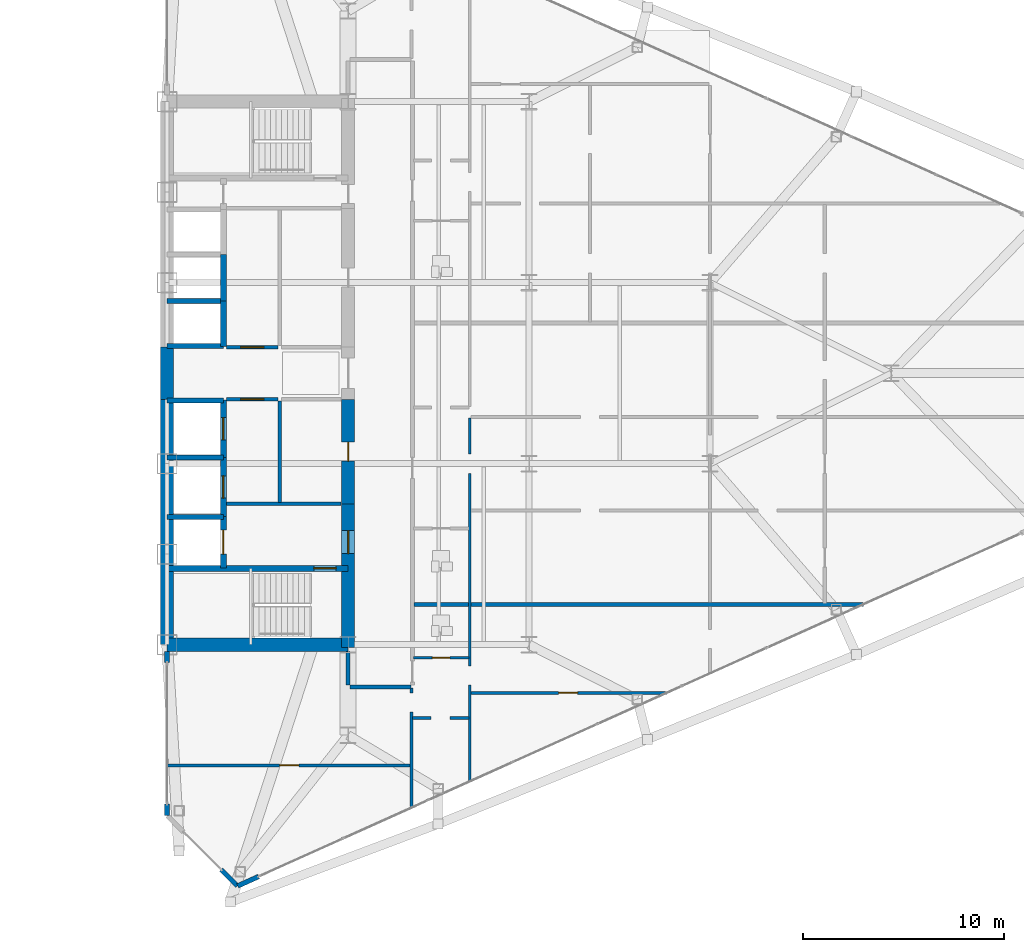
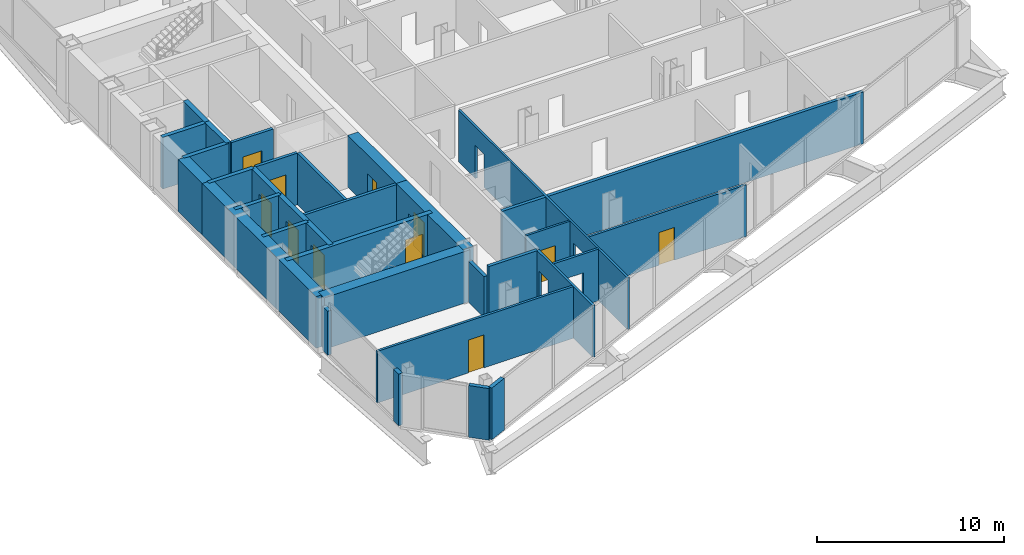
# One storey, part 23 of 29: 33 walls, 11 doors, 15 openings.
"""IFC4 building model written with IfcOpenShell, lengths in metres."""

from ifc_helpers import new_model, si_unit, direction, frame, frame_2d, origin, place, context, subcontext, project, spatial, rectangle, extrude, source, transform, mapped, material, layer, layer_set, type_object, type_shapes, element, fill, save


model = new_model("IFC4")

# Units and contexts
model_context = context("Model", 3, precision=1e-05, world=origin(), true_north=direction((0.0, 1.0)))
body_context = subcontext(model_context, "Body", "Model", "MODEL_VIEW")
ifc_project = project(units=[si_unit("LENGTHUNIT", "METRE"), si_unit("AREAUNIT", "SQUARE_METRE"), si_unit("VOLUMEUNIT", "CUBIC_METRE"), si_unit("PLANEANGLEUNIT", "RADIAN"), si_unit("MASSUNIT", "GRAM", prefix="KILO")], contexts=[model_context])

# Site, building, storey
site_placement = place(None, origin())
site = spatial("IfcSite", under=ifc_project, at=site_placement, CompositionType="ELEMENT")
building_placement = place(site_placement, origin())
building = spatial("IfcBuilding", under=site, at=building_placement, Name="Seokmaru Belvedere", CompositionType="ELEMENT")
storey_placement = place(building_placement, frame((0.0, 0.0, 62.10009765625)))
storey = spatial("IfcBuildingStorey", under=building, at=storey_placement, Name="L16", CompositionType="ELEMENT", Elevation=62.10009765625)

# Wall, opening, door
ifc_material_1 = material(Name="Fire-Rated Gypsum Shaftwall")
ifc_layer_1 = layer(ifc_material_1, 0.14990234375)
ifc_layer_set_1 = layer_set([ifc_layer_1], Name="Fire-Rated Gypsum Shaftwall")
wall_type_1 = type_object("IfcWallType", Name="Apartment Fire-Acoustic Room Partition 150", PredefinedType="PARTITIONING", material=ifc_layer_set_1)
wall_1_placement = place(storey_placement, frame((27.465087890625, -19.5, 0.0), z_axis=(0.0, 0.0, 1.0), x_axis=(1.0, 0.0, 0.0)))
wall_1 = element("IfcWall", 1, at=wall_1_placement, inside=storey, type_object=wall_type_1, Name="L16 Interior Partition 002", PredefinedType="PARTITIONING", context=body_context, shape_type="SweptSolid", body=[
    extrude(rectangle(XDim=12.135009765625, YDim=0.14990234375, at=frame_2d((6.0673828125, 0.0))), origin(), (0.0, 0.0, 1.0), 3.3798828125),
])
opening_1_placement = place(wall_1_placement, frame((5.635009765625, 0.0, 0.0)))
opening_1 = element("IfcOpeningElement", 2, at=opening_1_placement, cuts=wall_1, Name="Opening D05", PredefinedType="OPENING", context=body_context, shape_type="SweptSolid", body=[
    extrude(rectangle(XDim=0.949951171875, YDim=2.14990234375, at=frame_2d((0.47509765625, 1.074951171875))), frame((0.0, 0.0849609375, 0.0), z_axis=(0.0, -1.0, 0.0), x_axis=(1.0, 0.0, 0.0)), (0.0, 0.0, 1.0), 0.169921875),
])
ifc_material_2 = material(Name="Engineered White Oak Timber", Category="wood")
door_type_1 = type_object("IfcDoorType", Name="Apartment Interior Fire-Rated Oak Door 950x2150", OperationType="NOTDEFINED", PredefinedType="DOOR", material=ifc_material_2)
shared_shape_1 = source(origin(), body_context, "Body", "SweptSolid", [
    extrude(rectangle(XDim=0.949951171875, YDim=2.14990234375, at=frame_2d((0.47509765625, 1.074951171875))), frame((0.0, 0.02490234375, 0.0), z_axis=(0.0, -1.0, 0.0), x_axis=(1.0, 0.0, 0.0)), (0.0, 0.0, 1.0), 0.050048828125),
])
type_shapes(door_type_1, [shared_shape_1])
door_1_placement = place(opening_1_placement, origin())
door_1 = element("IfcDoor", 3, at=door_1_placement, inside=storey, type_object=door_type_1, Name="L16 Interior Door 033", OperationType="SINGLE_SWING_LEFT", OverallHeight=2.14990234375, OverallWidth=0.949951171875, PredefinedType="DOOR", context=body_context, shape_type="MappedRepresentation", body=[
    mapped(shared_shape_1, transform((0.0, 0.0, 0.0), scale=1.0)),
])
fill(opening_1, door_1)

# Wall, opening
wall_2_placement = place(storey_placement, frame((39.699951171875, -17.139892578125, 0.0), z_axis=(0.0, 0.0, 1.0), x_axis=(1.0, 0.0, 0.0)))
wall_2 = element("IfcWall", 4, at=wall_2_placement, inside=storey, type_object=wall_type_1, Name="L16 Interior Partition 003", PredefinedType="PARTITIONING", context=body_context, shape_type="SweptSolid", body=[
    extrude(rectangle(XDim=2.800048828125, YDim=0.14990234375, at=frame_2d((1.39990234375, 0.0))), origin(), (0.0, 0.0, 1.0), 3.3798828125),
])
opening_2_placement = place(wall_2_placement, frame((0.925048828125, 0.0, 0.0)))
element("IfcOpeningElement", 5, at=opening_2_placement, cuts=wall_2, Name="L16 Cased Opening 028", PredefinedType="OPENING", context=body_context, shape_type="SweptSolid", body=[
    extrude(rectangle(XDim=0.949951171875, YDim=2.14990234375, at=frame_2d((0.47509765625, 1.074951171875))), frame((0.0, 0.0849609375, 0.0), z_axis=(0.0, -1.0, 0.0), x_axis=(1.0, 0.0, 0.0)), (0.0, 0.0, 1.0), 0.169921875),
])

# Wall, opening, door
wall_3_placement = place(storey_placement, frame((42.60009765625, -15.89990234375, 0.0), z_axis=(0.0, 0.0, 1.0), x_axis=(1.0, 0.0, 0.0)))
wall_3 = element("IfcWall", 6, at=wall_3_placement, inside=storey, type_object=wall_type_1, Name="L16 Interior Partition 005", PredefinedType="PARTITIONING", context=body_context, shape_type="SweptSolid", body=[
    extrude(rectangle(XDim=9.764892578125, YDim=0.14990234375, at=frame_2d((4.88232421875, 0.0))), origin(), (0.0, 0.0, 1.0), 3.3798828125),
])
opening_3_placement = place(wall_3_placement, frame((4.365234375, 0.0, 0.0)))
opening_3 = element("IfcOpeningElement", 7, at=opening_3_placement, cuts=wall_3, Name="Opening D05", PredefinedType="OPENING", context=body_context, shape_type="SweptSolid", body=[
    extrude(rectangle(XDim=0.949951171875, YDim=2.14990234375, at=frame_2d((0.47509765625, 1.074951171875))), frame((0.0, 0.0849609375, 0.0), z_axis=(0.0, -1.0, 0.0), x_axis=(1.0, 0.0, 0.0)), (0.0, 0.0, 1.0), 0.169921875),
])
door_2_placement = place(opening_3_placement, origin())
door_2 = element("IfcDoor", 8, at=door_2_placement, inside=storey, type_object=door_type_1, Name="L16 Interior Door 032", OperationType="SINGLE_SWING_RIGHT", OverallHeight=2.14990234375, OverallWidth=0.949951171875, PredefinedType="DOOR", context=body_context, shape_type="MappedRepresentation", body=[
    mapped(shared_shape_1, transform((0.0, 0.0, 0.0), scale=1.0)),
])
fill(opening_3, door_2)

# Wall, opening
wall_4_placement = place(storey_placement, frame((39.64990234375, -21.64208984375, 0.0), z_axis=(0.0, 0.0, 1.0), x_axis=(0.0, 1.0, 0.0)))
wall_4 = element("IfcWall", 9, at=wall_4_placement, inside=storey, type_object=wall_type_1, Name="L16 Interior Partition 042", PredefinedType="PARTITIONING", context=body_context, shape_type="SweptSolid", body=[
    extrude(rectangle(XDim=5.9921875, YDim=0.14990234375, at=frame_2d((2.99609375, 0.0))), origin(), (0.0, 0.0, 1.0), 3.3798828125),
])
opening_4_placement = place(wall_4_placement, frame((4.79443359375, 0.0, 0.0)))
element("IfcOpeningElement", 10, at=opening_4_placement, cuts=wall_4, Name="L16 Cased Opening 030", PredefinedType="OPENING", context=body_context, shape_type="SweptSolid", body=[
    extrude(rectangle(XDim=0.949951171875, YDim=2.14990234375, at=frame_2d((0.47509765625, 1.074951171875))), frame((0.0, 0.0849609375, 0.0), z_axis=(0.0, -1.0, 0.0), x_axis=(1.0, 0.0, 0.0)), (0.0, 0.0, 1.0), 0.169921875),
])

# Walls
ifc_layer_2 = layer(ifc_material_1, 0.179931640625)
ifc_layer_set_2 = layer_set([ifc_layer_2], Name="Fire-Rated Gypsum Shaftwall")
wall_type_2 = type_object("IfcWallType", Name="Core Service Fire Partition 180", PredefinedType="PARTITIONING", material=ifc_layer_set_2)
wall_5_placement = place(storey_placement, frame((30.449951171875, -6.5, 0.0), z_axis=(0.0, 0.0, 1.0), x_axis=(1.0, 0.0, 0.0)))
element("IfcWall", 11, at=wall_5_placement, inside=storey, type_object=wall_type_2, Name="L16 East Firefighting Lobby Partition", PredefinedType="PARTITIONING", context=body_context, shape_type="SweptSolid", body=[
    extrude(rectangle(XDim=5.699951171875, YDim=0.179931640625, at=frame_2d((2.85009765625, 0.0))), origin(), (0.0, 0.0, 1.0), 3.3798828125),
])
wall_6_placement = place(storey_placement, frame((33.10009765625, -6.419921875, 0.0), z_axis=(0.0, 0.0, 1.0), x_axis=(0.0, 1.0, 0.0)))
element("IfcWall", 12, at=wall_6_placement, inside=storey, type_object=wall_type_2, Name="L16 East South Core Service Back Wall", PredefinedType="PARTITIONING", context=body_context, shape_type="SweptSolid", body=[
    extrude(rectangle(XDim=5.0400390625, YDim=0.179931640625, at=frame_2d((2.52001953125, 0.0))), origin(), (0.0, 0.0, 1.0), 3.3798828125),
])

# Wall, opening, door
wall_7_placement = place(storey_placement, frame((30.449951171875, -1.300048828125, 0.0), z_axis=(0.0, 0.0, 1.0), x_axis=(1.0, 0.0, 0.0)))
wall_7 = element("IfcWall", 13, at=wall_7_placement, inside=storey, type_object=wall_type_2, Name="L16 East South Lift Lobby Foyer Wall", PredefinedType="PARTITIONING", context=body_context, shape_type="SweptSolid", body=[
    extrude(rectangle(XDim=2.570068359375, YDim=0.179931640625, at=frame_2d((1.28515625, 0.0))), origin(), (0.0, 0.0, 1.0), 3.3798828125),
])
opening_5_placement = place(wall_7_placement, frame((0.7099609375, 0.0, 0.0)))
opening_5 = element("IfcOpeningElement", 14, at=opening_5_placement, cuts=wall_7, Name="Opening D02", PredefinedType="OPENING", context=body_context, shape_type="SweptSolid", body=[
    extrude(rectangle(XDim=1.14990234375, YDim=2.199951171875, at=frame_2d((0.574951171875, 1.10009765625))), frame((0.0, 0.10009765625, 0.0), z_axis=(0.0, -1.0, 0.0), x_axis=(1.0, 0.0, 0.0)), (0.0, 0.0, 1.0), 0.199951171875),
])
ifc_material_3 = material(Name="Fire-Rated Steel Leaf", Category="steel")
door_type_2 = type_object("IfcDoorType", Name="Lobby and Vestibule Fire Door 1150x2200", OperationType="NOTDEFINED", PredefinedType="DOOR", material=ifc_material_3)
shared_shape_2 = source(origin(), body_context, "Body", "SweptSolid", [
    extrude(rectangle(XDim=1.14990234375, YDim=2.199951171875, at=frame_2d((0.574951171875, 1.10009765625))), frame((0.0, 0.02490234375, 0.0), z_axis=(0.0, -1.0, 0.0), x_axis=(1.0, 0.0, 0.0)), (0.0, 0.0, 1.0), 0.050048828125),
])
type_shapes(door_type_2, [shared_shape_2])
door_3_placement = place(opening_5_placement, origin())
door_3 = element("IfcDoor", 15, at=door_3_placement, inside=storey, type_object=door_type_2, Name="L16 East South Core Foyer Door", OperationType="SINGLE_SWING_RIGHT", OverallHeight=2.199951171875, OverallWidth=1.14990234375, PredefinedType="DOOR", context=body_context, shape_type="MappedRepresentation", body=[
    mapped(shared_shape_2, transform((0.0, 0.0, 0.0), scale=1.0)),
])
fill(opening_5, door_3)

wall_8_placement = place(storey_placement, frame((30.449951171875, 1.300048828125, 0.0), z_axis=(0.0, 0.0, 1.0), x_axis=(1.0, 0.0, 0.0)))
wall_8 = element("IfcWall", 16, at=wall_8_placement, inside=storey, type_object=wall_type_2, Name="L16 East North Lift Lobby Foyer Wall", PredefinedType="PARTITIONING", context=body_context, shape_type="SweptSolid", body=[
    extrude(rectangle(XDim=2.570068359375, YDim=0.179931640625, at=frame_2d((1.28515625, 0.0))), origin(), (0.0, 0.0, 1.0), 3.3798828125),
])
opening_6_placement = place(wall_8_placement, frame((0.7099609375, 0.0, 0.0)))
opening_6 = element("IfcOpeningElement", 17, at=opening_6_placement, cuts=wall_8, Name="Opening D02", PredefinedType="OPENING", context=body_context, shape_type="SweptSolid", body=[
    extrude(rectangle(XDim=1.14990234375, YDim=2.199951171875, at=frame_2d((0.574951171875, 1.10009765625))), frame((0.0, 0.10009765625, 0.0), z_axis=(0.0, -1.0, 0.0), x_axis=(1.0, 0.0, 0.0)), (0.0, 0.0, 1.0), 0.199951171875),
])
door_4_placement = place(opening_6_placement, origin())
door_4 = element("IfcDoor", 18, at=door_4_placement, inside=storey, type_object=door_type_2, Name="L16 East North Lift Lobby Door", OperationType="SINGLE_SWING_LEFT", OverallHeight=2.199951171875, OverallWidth=1.14990234375, PredefinedType="DOOR", context=body_context, shape_type="MappedRepresentation", body=[
    mapped(shared_shape_2, transform((0.0, 0.0, 0.0), scale=1.0)),
])
fill(opening_6, door_4)

# Walls
ifc_material_4 = material(Name="Concrete C50 (50 MPa)", Category="concrete")
ifc_layer_3 = layer(ifc_material_4, 0.25)
ifc_layer_set_3 = layer_set([ifc_layer_3], Name="Concrete C50 (50 MPa)")
wall_type_3 = type_object("IfcWallType", Name="Hoistway Transverse Concrete Divider Wall 250", PredefinedType="SHEAR", material=ifc_layer_set_3)
for number, where, z_axis, x_axis, name in (
    (19, (27.5, -7.14990234375, 0.0), (0.0, 0.0, 1.0), (1.0, 0.0, 0.0), "L16 East Hoistway Divider Core Wall 1"),
    (20, (27.5, -4.199951171875, 0.0), (0.0, 0.0, 1.0), (1.0, 0.0, 0.0), "L16 East Hoistway Divider Core Wall 2"),
    (21, (27.5, -1.35009765625, 0.0), (0.0, 0.0, 1.0), (1.0, 0.0, 0.0), "L16 East Hoistway Divider Core Wall 3"),
    (22, (27.5, 1.35009765625, 0.0), (0.0, 0.0, 1.0), (1.0, 0.0, 0.0), "L16 East Hoistway Divider Core Wall 4"),
    (23, (27.5, 3.60009765625, 0.0), (0.0, 0.0, 1.0), (1.0, 0.0, 0.0), "L16 East Hoistway Divider Core Wall 5"),
):
    element("IfcWall", number, at=place(storey_placement, frame(where, z_axis=z_axis, x_axis=x_axis)), inside=storey, type_object=wall_type_3, Name=name, PredefinedType="SHEAR", context=body_context, shape_type="SweptSolid", body=[
        extrude(rectangle(XDim=2.800048828125, YDim=0.25, at=frame_2d((1.39990234375, 0.0))), origin(), (0.0, 0.0, 1.0), 3.3798828125),
    ])
ifc_layer_4 = layer(ifc_material_1, 0.199951171875)
ifc_layer_set_4 = layer_set([ifc_layer_4], Name="Fire-Rated Gypsum Shaftwall")
wall_type_4 = type_object("IfcWallType", Name="Inter-Tenancy Fire Compartment Partition 200", PredefinedType="PARTITIONING", material=ifc_layer_set_4)
wall_9_placement = place(storey_placement, frame((36.5849609375, -15.60009765625, 0.0), z_axis=(0.0, 0.0, 1.0), x_axis=(1.0, 0.0, 0.0)))
element("IfcWall", 24, at=wall_9_placement, inside=storey, type_object=wall_type_4, Name="L16 Interior Partition 007", PredefinedType="PARTITIONING", context=body_context, shape_type="SweptSolid", body=[
    extrude(rectangle(XDim=3.030029296875, YDim=0.199951171875, at=frame_2d((1.51513671875, 0.0))), origin(), (0.0, 0.0, 1.0), 3.3798828125),
])
wall_10_placement = place(storey_placement, frame((39.780029296875, -11.5, 0.0), z_axis=(0.0, 0.0, 1.0), x_axis=(1.0, 0.0, 0.0)))
element("IfcWall", 25, at=wall_10_placement, inside=storey, type_object=wall_type_4, Name="L16 Interior Partition 011", PredefinedType="PARTITIONING", context=body_context, shape_type="SweptSolid", body=[
    extrude(rectangle(XDim=22.343017578125, YDim=0.199951171875, at=frame_2d((11.17138671875, 0.0))), origin(), (0.0, 0.0, 1.0), 3.3798828125),
])
wall_11_placement = place(storey_placement, frame((36.5, -15.514892578125, 0.0), z_axis=(0.0, 0.0, 1.0), x_axis=(0.0, 1.0, 0.0)))
element("IfcWall", 26, at=wall_11_placement, inside=storey, type_object=wall_type_4, Name="L16 Interior Partition 040", PredefinedType="PARTITIONING", context=body_context, shape_type="SweptSolid", body=[
    extrude(rectangle(XDim=1.684814453125, YDim=0.199951171875, at=frame_2d((0.84228515625, 0.0))), origin(), (0.0, 0.0, 1.0), 2.679931640625),
])

# Wall, opening, door
ifc_layer_5 = layer(ifc_material_4, 0.300048828125)
ifc_layer_set_5 = layer_set([ifc_layer_5], Name="Concrete C50 (50 MPa)")
wall_type_5 = type_object("IfcWallType", Name="Internal Core Stair and Hoistway Wall 300", PredefinedType="SHEAR", material=ifc_layer_set_5)
wall_12_placement = place(storey_placement, frame((27.5, -9.699951171875, 0.0), z_axis=(0.0, 0.0, 1.0), x_axis=(1.0, 0.0, 0.0)))
wall_12 = element("IfcWall", 27, at=wall_12_placement, inside=storey, type_object=wall_type_5, Name="L16 East Stair ST-1 Enclosure Wall", PredefinedType="SHEAR", context=body_context, shape_type="SweptSolid", body=[
    extrude(rectangle(XDim=9.0, YDim=0.300048828125, at=frame_2d((4.5, 0.0))), origin(), (0.0, 0.0, 1.0), 3.3798828125),
])
opening_7_placement = place(wall_12_placement, frame((7.300048828125, 0.0, 0.0)))
opening_7 = element("IfcOpeningElement", 28, at=opening_7_placement, cuts=wall_12, Name="Opening D01", PredefinedType="OPENING", context=body_context, shape_type="SweptSolid", body=[
    extrude(rectangle(XDim=1.10009765625, YDim=2.199951171875, at=frame_2d((0.550048828125, 1.10009765625))), frame((0.0, 0.16015625, 0.0), z_axis=(0.0, -1.0, 0.0), x_axis=(1.0, 0.0, 0.0)), (0.0, 0.0, 1.0), 0.320068359375),
])
door_type_3 = type_object("IfcDoorType", Name="Special Escape Stair Smokeproof Fire Door 1100x2200", OperationType="NOTDEFINED", PredefinedType="DOOR", material=ifc_material_3)
shared_shape_3 = source(origin(), body_context, "Body", "SweptSolid", [
    extrude(rectangle(XDim=1.10009765625, YDim=2.199951171875, at=frame_2d((0.550048828125, 1.10009765625))), frame((0.0, 0.02490234375, 0.0), z_axis=(0.0, -1.0, 0.0), x_axis=(1.0, 0.0, 0.0)), (0.0, 0.0, 1.0), 0.050048828125),
])
type_shapes(door_type_3, [shared_shape_3])
door_5_placement = place(opening_7_placement, frame((1.10009765625, 0.0, 0.0), z_axis=(0.0, 0.0, 1.0), x_axis=(-1.0, 0.0, 0.0)))
door_5 = element("IfcDoor", 29, at=door_5_placement, inside=storey, type_object=door_type_3, Name="L16 East Special Escape Stair ST-1 Door", OperationType="SINGLE_SWING_RIGHT", OverallHeight=2.199951171875, OverallWidth=1.10009765625, PredefinedType="DOOR", context=body_context, shape_type="MappedRepresentation", body=[
    mapped(shared_shape_3, transform((0.0, 0.0, 0.0), scale=1.0)),
])
fill(opening_7, door_5)

wall_13_placement = place(storey_placement, frame((30.300048828125, -9.679931640625, 0.0), z_axis=(0.0, 0.0, 1.0), x_axis=(0.0, 1.0, 0.0)))
wall_13 = element("IfcWall", 30, at=wall_13_placement, inside=storey, type_object=wall_type_5, Name="L16 East Firefighting Lift Shaft Front Wall", PredefinedType="SHEAR", context=body_context, shape_type="SweptSolid", body=[
    extrude(rectangle(XDim=2.559814453125, YDim=0.300048828125, at=frame_2d((1.27978515625, 0.0))), origin(), (0.0, 0.0, 1.0), 3.3798828125),
])
opening_8_placement = place(wall_13_placement, frame((0.679931640625, 0.0, 0.0)))
opening_8 = element("IfcOpeningElement", 31, at=opening_8_placement, cuts=wall_13, Name="Opening LD2", PredefinedType="OPENING", context=body_context, shape_type="SweptSolid", body=[
    extrude(rectangle(XDim=1.199951171875, YDim=2.25, at=frame_2d((0.60009765625, 1.125))), frame((0.0, 0.16015625, 0.0), z_axis=(0.0, -1.0, 0.0), x_axis=(1.0, 0.0, 0.0)), (0.0, 0.0, 1.0), 0.320068359375),
])
ifc_material_5 = material(Name="Stainless Steel 316", Category="steel")
door_type_4 = type_object("IfcDoorType", Name="Firefighting Lift Sliding Landing Door 1200x2250", OperationType="DOUBLE_DOOR_SLIDING", PredefinedType="DOOR", material=ifc_material_5)
shared_shape_4 = source(origin(), body_context, "Body", "SweptSolid", [
    extrude(rectangle(XDim=1.199951171875, YDim=2.25, at=frame_2d((0.60009765625, 1.125))), frame((0.0, 0.02490234375, 0.0), z_axis=(0.0, -1.0, 0.0), x_axis=(1.0, 0.0, 0.0)), (0.0, 0.0, 1.0), 0.050048828125),
])
type_shapes(door_type_4, [shared_shape_4])
door_6_placement = place(opening_8_placement, origin())
door_6 = element("IfcDoor", 32, at=door_6_placement, inside=storey, type_object=door_type_4, Name="L16 East Firefighting Lift Landing Door", OperationType="DOUBLE_DOOR_SLIDING", OverallHeight=2.25, OverallWidth=1.199951171875, PredefinedType="DOOR", context=body_context, shape_type="MappedRepresentation", body=[
    mapped(shared_shape_4, transform((0.0, 0.0, 0.0), scale=1.0)),
])
fill(opening_8, door_6)

wall_14_placement = place(storey_placement, frame((30.300048828125, -7.1201171875, 0.0), z_axis=(0.0, 0.0, 1.0), x_axis=(0.0, 1.0, 0.0)))
wall_14 = element("IfcWall", 33, at=wall_14_placement, inside=storey, type_object=wall_type_5, Name="L16 East Low-Rise Lift PL-1 Front Wall", PredefinedType="SHEAR", context=body_context, shape_type="SweptSolid", body=[
    extrude(rectangle(XDim=2.920166015625, YDim=0.300048828125, at=frame_2d((1.4599609375, 0.0))), origin(), (0.0, 0.0, 1.0), 3.3798828125),
])
opening_9_placement = place(wall_14_placement, frame((0.909912109375, 0.0, 0.0)))
opening_9 = element("IfcOpeningElement", 34, at=opening_9_placement, cuts=wall_14, Name="Opening LD1", PredefinedType="OPENING", context=body_context, shape_type="SweptSolid", body=[
    extrude(rectangle(XDim=1.10009765625, YDim=2.199951171875, at=frame_2d((0.550048828125, 1.10009765625))), frame((0.0, 0.16015625, 0.0), z_axis=(0.0, -1.0, 0.0), x_axis=(1.0, 0.0, 0.0)), (0.0, 0.0, 1.0), 0.320068359375),
])
door_type_5 = type_object("IfcDoorType", Name="Passenger Lift Sliding Landing Door 1100x2200", OperationType="DOUBLE_DOOR_SLIDING", PredefinedType="DOOR", material=ifc_material_5)
shared_shape_5 = source(origin(), body_context, "Body", "SweptSolid", [
    extrude(rectangle(XDim=1.10009765625, YDim=2.199951171875, at=frame_2d((0.550048828125, 1.10009765625))), frame((0.0, 0.02490234375, 0.0), z_axis=(0.0, -1.0, 0.0), x_axis=(1.0, 0.0, 0.0)), (0.0, 0.0, 1.0), 0.050048828125),
])
type_shapes(door_type_5, [shared_shape_5])
door_7_placement = place(opening_9_placement, origin())
door_7 = element("IfcDoor", 35, at=door_7_placement, inside=storey, type_object=door_type_5, Name="L16 East Low-Rise Lift PL-1 Landing Door", OperationType="DOUBLE_DOOR_SLIDING", OverallHeight=2.199951171875, OverallWidth=1.10009765625, PredefinedType="DOOR", context=body_context, shape_type="MappedRepresentation", body=[
    mapped(shared_shape_5, transform((0.0, 0.0, 0.0), scale=1.0)),
])
fill(opening_9, door_7)

wall_15_placement = place(storey_placement, frame((30.300048828125, -4.199951171875, 0.0), z_axis=(0.0, 0.0, 1.0), x_axis=(0.0, 1.0, 0.0)))
wall_15 = element("IfcWall", 36, at=wall_15_placement, inside=storey, type_object=wall_type_5, Name="L16 East Low-Rise Lift PL-2 Front Wall", PredefinedType="SHEAR", context=body_context, shape_type="SweptSolid", body=[
    extrude(rectangle(XDim=2.8798828125, YDim=0.300048828125, at=frame_2d((1.43994140625, 0.0))), origin(), (0.0, 0.0, 1.0), 3.3798828125),
])
opening_10_placement = place(wall_15_placement, frame((0.889892578125, 0.0, 0.0)))
opening_10 = element("IfcOpeningElement", 37, at=opening_10_placement, cuts=wall_15, Name="Opening LD1", PredefinedType="OPENING", context=body_context, shape_type="SweptSolid", body=[
    extrude(rectangle(XDim=1.10009765625, YDim=2.199951171875, at=frame_2d((0.550048828125, 1.10009765625))), frame((0.0, 0.16015625, 0.0), z_axis=(0.0, -1.0, 0.0), x_axis=(1.0, 0.0, 0.0)), (0.0, 0.0, 1.0), 0.320068359375),
])
door_8_placement = place(opening_10_placement, origin())
door_8 = element("IfcDoor", 38, at=door_8_placement, inside=storey, type_object=door_type_5, Name="L16 East Low-Rise Lift PL-2 Landing Door", OperationType="DOUBLE_DOOR_SLIDING", OverallHeight=2.199951171875, OverallWidth=1.10009765625, PredefinedType="DOOR", context=body_context, shape_type="MappedRepresentation", body=[
    mapped(shared_shape_5, transform((0.0, 0.0, 0.0), scale=1.0)),
])
fill(opening_10, door_8)

# Walls
wall_16_placement = place(storey_placement, frame((30.300048828125, 1.320068359375, 0.0), z_axis=(0.0, 0.0, 1.0), x_axis=(0.0, 1.0, 0.0)))
element("IfcWall", 39, at=wall_16_placement, inside=storey, type_object=wall_type_5, Name="L16 East North Hoistway Wall PH1", PredefinedType="SHEAR", context=body_context, shape_type="SweptSolid", body=[
    extrude(rectangle(XDim=2.280029296875, YDim=0.300048828125, at=frame_2d((1.14013671875, 0.0))), origin(), (0.0, 0.0, 1.0), 3.3798828125),
])
wall_17_placement = place(storey_placement, frame((30.300048828125, 3.60009765625, 0.0), z_axis=(0.0, 0.0, 1.0), x_axis=(0.0, 1.0, 0.0)))
element("IfcWall", 40, at=wall_17_placement, inside=storey, type_object=wall_type_5, Name="L16 East North Hoistway Wall PH2", PredefinedType="SHEAR", context=body_context, shape_type="SweptSolid", body=[
    extrude(rectangle(XDim=2.2998046875, YDim=0.300048828125, at=frame_2d((1.14990234375, 0.0))), origin(), (0.0, 0.0, 1.0), 3.3798828125),
])
ifc_material_6 = material(Name="Concrete C60 (60 MPa)", Category="concrete")
ifc_layer_6 = layer(ifc_material_6, 0.64990234375)
ifc_layer_set_6 = layer_set([ifc_layer_6], Name="Concrete C60 (60 MPa)")
wall_type_6 = type_object("IfcWallType", Name="Mid-Low Reinforced Concrete Core Wall 650", PredefinedType="SHEAR", material=ifc_layer_set_6)
wall_18_placement = place(storey_placement, frame((27.5, -13.5, 0.0), z_axis=(0.0, 0.0, 1.0), x_axis=(0.0, 1.0, 0.0)))
element("IfcWall", 41, at=wall_18_placement, inside=storey, type_object=wall_type_6, Name="L16 East Portal Spine Core Wall South", PredefinedType="SHEAR", context=body_context, shape_type="SweptSolid", body=[
    extrude(rectangle(XDim=12.199951171875, YDim=0.64990234375, at=frame_2d((6.10009765625, 0.0))), origin(), (0.0, 0.0, 1.0), 3.3798828125),
])
wall_19_placement = place(storey_placement, frame((27.5, -1.300048828125, 0.0), z_axis=(0.0, 0.0, 1.0), x_axis=(0.0, 1.0, 0.0)))
element("IfcWall", 42, at=wall_19_placement, inside=storey, type_object=wall_type_6, Name="L16 East Portal Spine Core Wall Center", PredefinedType="SHEAR", context=body_context, shape_type="SweptSolid", body=[
    extrude(rectangle(XDim=2.60009765625, YDim=0.64990234375, at=frame_2d((1.300048828125, 0.0))), origin(), (0.0, 0.0, 1.0), 3.3798828125),
])
wall_20_placement = place(storey_placement, frame((27.5, -13.5, 0.0), z_axis=(0.0, 0.0, 1.0), x_axis=(1.0, 0.0, 0.0)))
element("IfcWall", 43, at=wall_20_placement, inside=storey, type_object=wall_type_6, Name="L16 East South Core Wall", PredefinedType="SHEAR", context=body_context, shape_type="SweptSolid", body=[
    extrude(rectangle(XDim=9.0, YDim=0.64990234375, at=frame_2d((4.5, 0.0))), origin(), (0.0, 0.0, 1.0), 3.3798828125),
])

# Wall, opening, door
wall_21_placement = place(storey_placement, frame((36.5, -13.64990234375, 0.0), z_axis=(0.0, 0.0, 1.0), x_axis=(0.0, 1.0, 0.0)))
wall_21 = element("IfcWall", 44, at=wall_21_placement, inside=storey, type_object=wall_type_6, Name="L16 East West Core Wall FF", PredefinedType="SHEAR", context=body_context, shape_type="SweptSolid", body=[
    extrude(rectangle(XDim=7.14990234375, YDim=0.64990234375, at=frame_2d((3.574951171875, 0.0))), origin(), (0.0, 0.0, 1.0), 3.3798828125),
])
opening_11_placement = place(wall_21_placement, frame((4.675048828125, 0.0, 0.0)))
opening_11 = element("IfcOpeningElement", 45, at=opening_11_placement, cuts=wall_21, Name="Opening D02", PredefinedType="OPENING", context=body_context, shape_type="SweptSolid", body=[
    extrude(rectangle(XDim=1.14990234375, YDim=2.199951171875, at=frame_2d((0.574951171875, 1.10009765625))), frame((0.0, 0.3349609375, 0.0), z_axis=(0.0, -1.0, 0.0), x_axis=(1.0, 0.0, 0.0)), (0.0, 0.0, 1.0), 0.669921875),
])
door_9_placement = place(opening_11_placement, origin())
door_9 = element("IfcDoor", 46, at=door_9_placement, inside=storey, type_object=door_type_2, Name="L16 East Firefighting Lobby Door", OperationType="SINGLE_SWING_RIGHT", OverallHeight=2.199951171875, OverallWidth=1.14990234375, PredefinedType="DOOR", context=body_context, shape_type="MappedRepresentation", body=[
    mapped(shared_shape_2, transform((0.0, 0.0, 0.0), scale=1.0)),
])
fill(opening_11, door_9)

wall_22_placement = place(storey_placement, frame((36.5, -6.5, 0.0), z_axis=(0.0, 0.0, 1.0), x_axis=(0.0, 1.0, 0.0)))
wall_22 = element("IfcWall", 47, at=wall_22_placement, inside=storey, type_object=wall_type_6, Name="L16 East West Core Wall CS1", PredefinedType="SHEAR", context=body_context, shape_type="SweptSolid", body=[
    extrude(rectangle(XDim=5.199951171875, YDim=0.64990234375, at=frame_2d((2.60009765625, 0.0))), origin(), (0.0, 0.0, 1.0), 3.3798828125),
])
opening_12_placement = place(wall_22_placement, frame((2.125, 0.0, 0.0)))
opening_12 = element("IfcOpeningElement", 48, at=opening_12_placement, cuts=wall_22, Name="Opening D04", PredefinedType="OPENING", context=body_context, shape_type="SweptSolid", body=[
    extrude(rectangle(XDim=0.949951171875, YDim=2.14990234375, at=frame_2d((0.47509765625, 1.074951171875))), frame((0.0, 0.3349609375, 0.0), z_axis=(0.0, -1.0, 0.0), x_axis=(1.0, 0.0, 0.0)), (0.0, 0.0, 1.0), 0.669921875),
])
door_type_6 = type_object("IfcDoorType", Name="Core Service Room Fire Door 950x2150", OperationType="NOTDEFINED", PredefinedType="DOOR", material=ifc_material_3)
shared_shape_6 = source(origin(), body_context, "Body", "SweptSolid", [
    extrude(rectangle(XDim=0.949951171875, YDim=2.14990234375, at=frame_2d((0.47509765625, 1.074951171875))), frame((0.0, 0.02490234375, 0.0), z_axis=(0.0, -1.0, 0.0), x_axis=(1.0, 0.0, 0.0)), (0.0, 0.0, 1.0), 0.050048828125),
])
type_shapes(door_type_6, [shared_shape_6])
door_10_placement = place(opening_12_placement, origin())
door_10 = element("IfcDoor", 49, at=door_10_placement, inside=storey, type_object=door_type_6, Name="L16 East Core Service Room Door 1", OperationType="SINGLE_SWING_RIGHT", OverallHeight=2.14990234375, OverallWidth=0.949951171875, PredefinedType="DOOR", context=body_context, shape_type="MappedRepresentation", body=[
    mapped(shared_shape_6, transform((0.0, 0.0, 0.0), scale=1.0)),
])
fill(opening_12, door_10)

ifc_layer_7 = layer(ifc_material_1, 0.1298828125)
ifc_layer_set_7 = layer_set([ifc_layer_7], Name="Fire-Rated Gypsum Shaftwall")
wall_type_7 = type_object("IfcWallType", Name="Moisture-Resistant Fire-Rated Bathroom Partition 130", PredefinedType="PARTITIONING", material=ifc_layer_set_7)
wall_23_placement = place(storey_placement, frame((39.75, -14.139892578125, 0.0), z_axis=(0.0, 0.0, 1.0), x_axis=(1.0, 0.0, 0.0)))
wall_23 = element("IfcWall", 50, at=wall_23_placement, inside=storey, type_object=wall_type_7, Name="L16 Interior Partition 009", PredefinedType="PARTITIONING", context=body_context, shape_type="SweptSolid", body=[
    extrude(rectangle(XDim=2.75, YDim=0.1298828125, at=frame_2d((1.375, 0.0))), origin(), (0.0, 0.0, 1.0), 3.3798828125),
])
opening_13_placement = place(wall_23_placement, frame((0.93505859375, 0.0, 0.0)))
opening_13 = element("IfcOpeningElement", 51, at=opening_13_placement, cuts=wall_23, Name="Opening D06", PredefinedType="OPENING", context=body_context, shape_type="SweptSolid", body=[
    extrude(rectangle(XDim=0.8798828125, YDim=2.10009765625, at=frame_2d((0.43994140625, 1.050048828125))), frame((0.0, 0.074951171875, 0.0), z_axis=(0.0, -1.0, 0.0), x_axis=(1.0, 0.0, 0.0)), (0.0, 0.0, 1.0), 0.14990234375),
])
door_type_7 = type_object("IfcDoorType", Name="Bathroom and Restroom Fire-Rated Door 880x2100", OperationType="NOTDEFINED", PredefinedType="DOOR", material=ifc_material_2)
shared_shape_7 = source(origin(), body_context, "Body", "SweptSolid", [
    extrude(rectangle(XDim=0.8798828125, YDim=2.10009765625, at=frame_2d((0.43994140625, 1.050048828125))), frame((0.0, 0.02490234375, 0.0), z_axis=(0.0, -1.0, 0.0), x_axis=(1.0, 0.0, 0.0)), (0.0, 0.0, 1.0), 0.050048828125),
])
type_shapes(door_type_7, [shared_shape_7])
door_11_placement = place(opening_13_placement, origin())
door_11 = element("IfcDoor", 52, at=door_11_placement, inside=storey, type_object=door_type_7, Name="L16 Interior Door 027", OperationType="SINGLE_SWING_RIGHT", OverallHeight=2.10009765625, OverallWidth=0.8798828125, PredefinedType="DOOR", context=body_context, shape_type="MappedRepresentation", body=[
    mapped(shared_shape_7, transform((0.0, 0.0, 0.0), scale=1.0)),
])
fill(opening_13, door_11)

# Wall, openings
wall_24_placement = place(storey_placement, frame((42.550048828125, -20.3369140625, 0.0), z_axis=(0.0, 0.0, 1.0), x_axis=(0.0, 1.0, 0.0)))
wall_24 = element("IfcWall", 53, at=wall_24_placement, inside=storey, type_object=wall_type_7, Name="L16 Interior Partition 045", PredefinedType="PARTITIONING", context=body_context, shape_type="SweptSolid", body=[
    extrude(rectangle(XDim=18.119873046875, YDim=0.1298828125, at=frame_2d((9.06005859375, 0.0))), origin(), (0.0, 0.0, 1.0), 3.3798828125),
])
opening_14_placement = place(wall_24_placement, frame((4.8388671875, 0.0, 0.0)))
element("IfcOpeningElement", 54, at=opening_14_placement, cuts=wall_24, Name="L16 Cased Opening 029", PredefinedType="OPENING", context=body_context, shape_type="SweptSolid", body=[
    extrude(rectangle(XDim=0.949951171875, YDim=2.14990234375, at=frame_2d((0.47509765625, 1.074951171875))), frame((0.0, 0.074951171875, 0.0), z_axis=(0.0, -1.0, 0.0), x_axis=(1.0, 0.0, 0.0)), (0.0, 0.0, 1.0), 0.14990234375),
])
opening_15_placement = place(wall_24_placement, frame((15.362060546875, 0.0, 0.0)))
element("IfcOpeningElement", 55, at=opening_15_placement, cuts=wall_24, Name="L16 Cased Opening 037", PredefinedType="OPENING", context=body_context, shape_type="SweptSolid", body=[
    extrude(rectangle(XDim=0.949951171875, YDim=2.14990234375, at=frame_2d((0.47509765625, 1.074951171875))), frame((0.0, 0.074951171875, 0.0), z_axis=(0.0, -1.0, 0.0), x_axis=(1.0, 0.0, 0.0)), (0.0, 0.0, 1.0), 0.14990234375),
])

# Walls
ifc_material_7 = material(Name="Anodised Bronze Aluminium", Category="aluminium")
ifc_layer_8 = layer(ifc_material_7, 0.239990234375)
ifc_layer_set_8 = layer_set([ifc_layer_8], Name="Anodised Bronze Aluminium")
wall_type_8 = type_object("IfcWallType", Name="Tower Corner Spandrel Closure Wall 240", PredefinedType="SOLIDWALL", material=ifc_layer_set_8)
wall_25_placement = place(storey_placement, frame((31.009033203125, -25.495849609375, 0.0), z_axis=(0.0, 0.0, 1.0), x_axis=(0.911929519623, 0.410346866979, 0.0)))
element("IfcWall", 56, at=wall_25_placement, inside=storey, type_object=wall_type_8, Name="L16 E Corner Closure Pier 1A", PredefinedType="SOLIDWALL", context=body_context, shape_type="SweptSolid", body=[
    extrude(rectangle(XDim=1.139892578125, YDim=0.239990234375, at=frame_2d((0.56982421875, 0.0))), origin(), (0.0, 0.0, 1.0), 3.3798828125),
])
wall_26_placement = place(storey_placement, frame((27.5, -21.97998046875, 0.0), z_axis=(0.0, 0.0, 1.0), x_axis=(0.0, 1.0, 0.0)))
element("IfcWall", 57, at=wall_26_placement, inside=storey, type_object=wall_type_8, Name="L16 E Spine Closure Pier 1A", PredefinedType="SOLIDWALL", context=body_context, shape_type="SweptSolid", body=[
    extrude(rectangle(XDim=0.550048828125, YDim=0.239990234375, at=frame_2d((0.27490234375, 0.0))), origin(), (0.0, 0.0, 1.0), 3.3798828125),
])
wall_27_placement = place(storey_placement, frame((27.5, -14.3798828125, 0.0), z_axis=(0.0, 0.0, 1.0), x_axis=(0.0, 1.0, 0.0)))
element("IfcWall", 58, at=wall_27_placement, inside=storey, type_object=wall_type_8, Name="L16 E Spine Closure Pier 1B", PredefinedType="SOLIDWALL", context=body_context, shape_type="SweptSolid", body=[
    extrude(rectangle(XDim=0.5498046875, YDim=0.239990234375, at=frame_2d((0.27490234375, 0.0))), origin(), (0.0, 0.0, 1.0), 2.8798828125),
])
wall_28_placement = place(storey_placement, frame((30.186767578125, -24.686767578125, 0.0), z_axis=(0.0, 0.0, 1.0), x_axis=(0.707106781187, -0.707106781187, 0.0)))
element("IfcWall", 59, at=wall_28_placement, inside=storey, type_object=wall_type_8, Name="L16 E Corner Closure Pier 6B", PredefinedType="SOLIDWALL", context=body_context, shape_type="SweptSolid", body=[
    extrude(rectangle(XDim=1.14013671875, YDim=0.239990234375, at=frame_2d((0.570068359375, 0.0))), origin(), (0.0, 0.0, 1.0), 3.3798828125),
])

save(model, "model.ifc")
